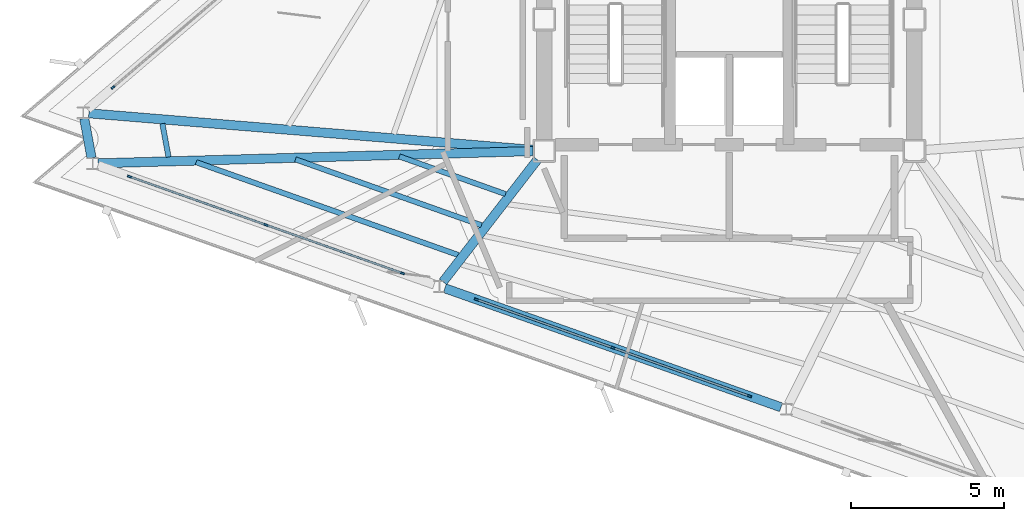
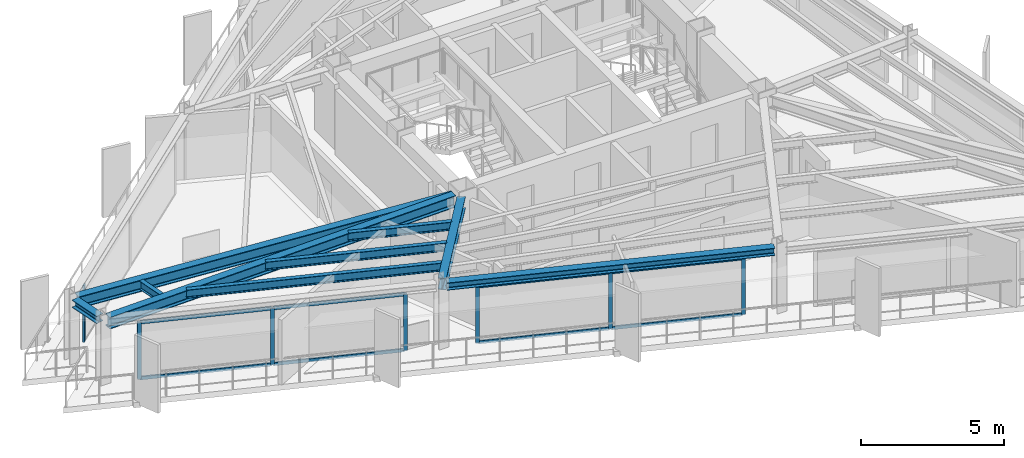
# One storey, part 2 of 14: 15 members, 9 beams, 3 elements without a shape of their own.
"""IFC4 building model written with IfcOpenShell, lengths in metres."""

from ifc_helpers import new_model, si_unit, direction, frame, origin, origin_2d, place, context, subcontext, project, spatial, rectangle, i_section, extrude, material, layer, layer_set, material_profile, profile_set, type_object, element, aggregate, save


model = new_model("IFC4")

# Units and contexts
model_context = context("Model", 3, precision=1e-05, world=origin(), true_north=direction((0.0, 1.0)))
body_context = subcontext(model_context, "Body", "Model", "MODEL_VIEW")
ifc_project = project(units=[si_unit("LENGTHUNIT", "METRE"), si_unit("AREAUNIT", "SQUARE_METRE"), si_unit("VOLUMEUNIT", "CUBIC_METRE"), si_unit("PLANEANGLEUNIT", "RADIAN"), si_unit("MASSUNIT", "GRAM", prefix="KILO")], contexts=[model_context])

# Site, building, storey
site_placement = place(None, origin())
site = spatial("IfcSite", under=ifc_project, at=site_placement, CompositionType="ELEMENT")
building_placement = place(site_placement, origin())
building = spatial("IfcBuilding", under=site, at=building_placement, Name="Rocaltana Carrier Exchange", CompositionType="ELEMENT")
storey_placement = place(building_placement, frame((0.0, 0.0, 181.43994140625)))
storey = spatial("IfcBuildingStorey", under=building, at=storey_placement, Name="L57", CompositionType="ELEMENT", Elevation=181.43994140625)

# Curtain wall, member
ifc_material_1 = material(Name="Aluminium 6063-T6", Category="aluminium")
ifc_layer = layer(ifc_material_1, 0.135009765625)
ifc_layer_set = layer_set([ifc_layer], Name="Aluminium 6063-T6")
curtain_wall_type = type_object("IfcCurtainWallType", Name="Upper-Mid Acoustic Curtain Wall CW-04", PredefinedType="NOTDEFINED", material=ifc_layer_set)
curtain_wall_1_placement = place(storey_placement, origin())
curtain_wall_1 = element("IfcCurtainWall", 1, at=curtain_wall_1_placement, inside=storey, type_object=curtain_wall_type, Name="L57 CW-04 Run CW-L57-F2S3", PredefinedType="NOTDEFINED")
ifc_material_2 = material(Name="Aluminium 6063-T6", Category="aluminium")
ifc_material_profile_1 = material_profile(ifc_material_2, rectangle(XDim=0.06494140625, YDim=0.135009765625, at=origin_2d()), Name="AL-65X135")
ifc_profile_set_1 = profile_set([ifc_material_profile_1], Name="Aluminium 6063-T6")
member_type_1 = type_object("IfcMemberType", Name="CW-04 Mullion AL-65X135", PredefinedType="MULLION", material=ifc_profile_set_1)
member_1_placement = place(storey_placement, frame((-20.14990234375, -2.2255859375, 0.0), z_axis=(0.0, 0.0, 1.0), x_axis=(0.649447944918, -0.760406053922, 0.0)))
member_1 = element("IfcMember", 2, at=member_1_placement, type_object=member_type_1, Name="CW-04 mullion 3", PredefinedType="MULLION", context=body_context, shape_type="SweptSolid", body=[
    extrude(rectangle(XDim=0.06494140625, YDim=0.135009765625, at=origin_2d()), origin(), (0.0, 0.0, 1.0), 2.447998046875),
])
aggregate(curtain_wall_1, [member_1])

# Curtain wall, members
curtain_wall_2_placement = place(storey_placement, origin())
curtain_wall_2 = element("IfcCurtainWall", 3, at=curtain_wall_2_placement, inside=storey, type_object=curtain_wall_type, Name="L57 CW-04 Run CW-L57-F3S1", PredefinedType="NOTDEFINED")
member_2_placement = place(storey_placement, frame((-19.609130859375, -5.143310546875, 0.0), z_axis=(0.0, 0.0, 1.0), x_axis=(0.333795491383, 0.942645516582, 0.0)))
member_2 = element("IfcMember", 4, at=member_2_placement, type_object=member_type_1, Name="CW-04 mullion 1", PredefinedType="MULLION", context=body_context, shape_type="SweptSolid", body=[
    extrude(rectangle(XDim=0.06494140625, YDim=0.135009765625, at=origin_2d()), origin(), (0.0, 0.0, 1.0), 2.447998046875),
])
member_3_placement = place(storey_placement, frame((-15.146484375, -6.7236328125, 0.0), z_axis=(0.0, 0.0, 1.0), x_axis=(0.333795491383, 0.942645516582, 0.0)))
member_3 = element("IfcMember", 5, at=member_3_placement, type_object=member_type_1, Name="CW-04 mullion 2", PredefinedType="MULLION", context=body_context, shape_type="SweptSolid", body=[
    extrude(rectangle(XDim=0.06494140625, YDim=0.135009765625, at=origin_2d()), origin(), (0.0, 0.0, 1.0), 2.447998046875),
])
member_4_placement = place(storey_placement, frame((-10.683837890625, -8.303955078125, 0.0), z_axis=(0.0, 0.0, 1.0), x_axis=(0.333795491383, 0.942645516582, 0.0)))
member_4 = element("IfcMember", 6, at=member_4_placement, type_object=member_type_1, Name="CW-04 mullion 3", PredefinedType="MULLION", context=body_context, shape_type="SweptSolid", body=[
    extrude(rectangle(XDim=0.06494140625, YDim=0.135009765625, at=origin_2d()), origin(), (0.0, 0.0, 1.0), 2.447998046875),
])

curtain_wall_3_placement = place(storey_placement, origin())
curtain_wall_3 = element("IfcCurtainWall", 7, at=curtain_wall_3_placement, inside=storey, type_object=curtain_wall_type, Name="L57 CW-04 Run CW-L57-F3S2", PredefinedType="NOTDEFINED")
member_5_placement = place(storey_placement, frame((-8.265869140625, -9.16015625, 0.0), z_axis=(0.0, 0.0, 1.0), x_axis=(0.333798791936, 0.942644347833, 0.0)))
member_5 = element("IfcMember", 8, at=member_5_placement, type_object=member_type_1, Name="CW-04 mullion 1", PredefinedType="MULLION", context=body_context, shape_type="SweptSolid", body=[
    extrude(rectangle(XDim=0.06494140625, YDim=0.135009765625, at=origin_2d()), origin(), (0.0, 0.0, 1.0), 2.447998046875),
])
member_6_placement = place(storey_placement, frame((-3.803466796875, -10.740478515625, 0.0), z_axis=(0.0, 0.0, 1.0), x_axis=(0.333798791936, 0.942644347833, 0.0)))
member_6 = element("IfcMember", 9, at=member_6_placement, type_object=member_type_1, Name="CW-04 mullion 2", PredefinedType="MULLION", context=body_context, shape_type="SweptSolid", body=[
    extrude(rectangle(XDim=0.06494140625, YDim=0.135009765625, at=origin_2d()), origin(), (0.0, 0.0, 1.0), 2.447998046875),
])
member_7_placement = place(storey_placement, frame((0.6591796875, -12.320556640625, 0.0), z_axis=(0.0, 0.0, 1.0), x_axis=(0.333798791936, 0.942644347833, 0.0)))
member_7 = element("IfcMember", 10, at=member_7_placement, type_object=member_type_1, Name="CW-04 mullion 3", PredefinedType="MULLION", context=body_context, shape_type="SweptSolid", body=[
    extrude(rectangle(XDim=0.06494140625, YDim=0.135009765625, at=origin_2d()), origin(), (0.0, 0.0, 1.0), 2.447998046875),
])

# Member
ifc_material_3 = material(Name="Aluminium 6063-T6", Category="aluminium")
ifc_material_profile_2 = material_profile(ifc_material_3, rectangle(XDim=0.06494140625, YDim=0.135009765625, at=origin_2d()), Name="AL-65X135")
ifc_profile_set_2 = profile_set([ifc_material_profile_2], Name="Aluminium 6063-T6")
member_type_2 = type_object("IfcMemberType", Name="CW-04 Transom AL-65X135", PredefinedType="USERDEFINED", material=ifc_profile_set_2)
member_8_placement = place(storey_placement, frame((-19.57861328125, -5.154296875, 0.032470703125), z_axis=(0.942658759466, -0.333758090841, 0.0), x_axis=(0.333758090841, 0.942658759466, 0.0)))
member_8 = element("IfcMember", 11, at=member_8_placement, type_object=member_type_2, Name="CW-04 transom 1.1", ObjectType="TRANSOM", PredefinedType="USERDEFINED", context=body_context, shape_type="SweptSolid", body=[
    extrude(rectangle(XDim=0.06494140625, YDim=0.135009765625, at=origin_2d()), origin(), (0.0, 0.0, 1.0), 4.669189453125),
])

member_9_placement = place(storey_placement, frame((-19.57861328125, -5.154296875, 2.41552734375), z_axis=(0.942658759466, -0.333758090841, 0.0), x_axis=(0.333758090841, 0.942658759466, 0.0)))
member_9 = element("IfcMember", 12, at=member_9_placement, type_object=member_type_2, Name="CW-04 transom 1.2", ObjectType="TRANSOM", PredefinedType="USERDEFINED", context=body_context, shape_type="SweptSolid", body=[
    extrude(rectangle(XDim=0.06494140625, YDim=0.135009765625, at=origin_2d()), origin(), (0.0, 0.0, 1.0), 4.669189453125),
])

member_10_placement = place(storey_placement, frame((-15.115966796875, -6.734375, 0.032470703125), z_axis=(0.942648133321, -0.333788101565, 0.0), x_axis=(0.333788101565, 0.942648133321, 0.0)))
member_10 = element("IfcMember", 13, at=member_10_placement, type_object=member_type_2, Name="CW-04 transom 2.1", ObjectType="TRANSOM", PredefinedType="USERDEFINED", context=body_context, shape_type="SweptSolid", body=[
    extrude(rectangle(XDim=0.06494140625, YDim=0.135009765625, at=origin_2d()), origin(), (0.0, 0.0, 1.0), 4.66943359375),
])

member_11_placement = place(storey_placement, frame((-15.115966796875, -6.734375, 2.41552734375), z_axis=(0.942648133321, -0.333788101565, 0.0), x_axis=(0.333788101565, 0.942648133321, 0.0)))
member_11 = element("IfcMember", 14, at=member_11_placement, type_object=member_type_2, Name="CW-04 transom 2.2", ObjectType="TRANSOM", PredefinedType="USERDEFINED", context=body_context, shape_type="SweptSolid", body=[
    extrude(rectangle(XDim=0.06494140625, YDim=0.135009765625, at=origin_2d()), origin(), (0.0, 0.0, 1.0), 4.66943359375),
])

aggregate(curtain_wall_2, [member_2, member_3, member_4, member_8, member_9, member_10, member_11])

member_12_placement = place(storey_placement, frame((-8.2353515625, -9.1708984375, 0.032470703125), z_axis=(0.942642307572, -0.333804553558, 0.0), x_axis=(0.333804553558, 0.942642307572, 0.0)))
member_12 = element("IfcMember", 15, at=member_12_placement, type_object=member_type_2, Name="CW-04 transom 1.1", ObjectType="TRANSOM", PredefinedType="USERDEFINED", context=body_context, shape_type="SweptSolid", body=[
    extrude(rectangle(XDim=0.06494140625, YDim=0.135009765625, at=origin_2d()), origin(), (0.0, 0.0, 1.0), 4.669189453125),
])

member_13_placement = place(storey_placement, frame((-8.2353515625, -9.1708984375, 2.41552734375), z_axis=(0.942642307572, -0.333804553558, 0.0), x_axis=(0.333804553558, 0.942642307572, 0.0)))
member_13 = element("IfcMember", 16, at=member_13_placement, type_object=member_type_2, Name="CW-04 transom 1.2", ObjectType="TRANSOM", PredefinedType="USERDEFINED", context=body_context, shape_type="SweptSolid", body=[
    extrude(rectangle(XDim=0.06494140625, YDim=0.135009765625, at=origin_2d()), origin(), (0.0, 0.0, 1.0), 4.669189453125),
])

member_14_placement = place(storey_placement, frame((-3.772705078125, -10.751220703125, 0.032470703125), z_axis=(0.942642307572, -0.333804553558, 0.0), x_axis=(0.333804553558, 0.942642307572, 0.0)))
member_14 = element("IfcMember", 17, at=member_14_placement, type_object=member_type_2, Name="CW-04 transom 2.1", ObjectType="TRANSOM", PredefinedType="USERDEFINED", context=body_context, shape_type="SweptSolid", body=[
    extrude(rectangle(XDim=0.06494140625, YDim=0.135009765625, at=origin_2d()), origin(), (0.0, 0.0, 1.0), 4.669189453125),
])

member_15_placement = place(storey_placement, frame((-3.772705078125, -10.751220703125, 2.41552734375), z_axis=(0.942642307572, -0.333804553558, 0.0), x_axis=(0.333804553558, 0.942642307572, 0.0)))
member_15 = element("IfcMember", 18, at=member_15_placement, type_object=member_type_2, Name="CW-04 transom 2.2", ObjectType="TRANSOM", PredefinedType="USERDEFINED", context=body_context, shape_type="SweptSolid", body=[
    extrude(rectangle(XDim=0.06494140625, YDim=0.135009765625, at=origin_2d()), origin(), (0.0, 0.0, 1.0), 4.669189453125),
])

aggregate(curtain_wall_3, [member_5, member_6, member_7, member_12, member_13, member_14, member_15])

# Beams
ifc_material_4 = material(Name="Steel S355", Category="steel")
ifc_material_profile_3 = material_profile(ifc_material_4, i_section(OverallWidth=0.172119140625, OverallDepth=0.35791015625, WebThickness=0.0078125, FlangeThickness=0.01318359375, FilletRadius=0.011962890625, at=origin_2d()), Name="W14X38")
ifc_profile_set_3 = profile_set([ifc_material_profile_3], Name="Steel S355")
beam_type_1 = type_object("IfcBeamType", Name="Floor Joist W14X38", PredefinedType="JOIST", material=ifc_profile_set_3)
beam_1_placement = place(storey_placement, frame((-18.5361328125, -3.4111328125, 2.619140625), z_axis=(0.182270341783, -0.983248454108, 0.0), x_axis=(0.983248454108, 0.182270341783, 0.0)))
element("IfcBeam", 19, at=beam_1_placement, inside=storey, type_object=beam_type_1, Name="FJ-L57-08-3", PredefinedType="JOIST", context=body_context, shape_type="SweptSolid", body=[
    extrude(i_section(OverallWidth=0.172119140625, OverallDepth=0.35791015625, WebThickness=0.0078125, FlangeThickness=0.01318359375, FilletRadius=0.011962890625, at=origin_2d()), origin(), (0.0, 0.0, 1.0), 1.1103515625),
])
beam_2_placement = place(storey_placement, frame((-10.78759765625, -4.485107421875, 2.619140625), z_axis=(0.94263244024, -0.333832416951, 0.0), x_axis=(0.333832416951, 0.94263244024, 0.0)))
element("IfcBeam", 20, at=beam_2_placement, inside=storey, type_object=beam_type_1, Name="FJ-L57-09-1", PredefinedType="JOIST", context=body_context, shape_type="SweptSolid", body=[
    extrude(i_section(OverallWidth=0.172119140625, OverallDepth=0.35791015625, WebThickness=0.0078125, FlangeThickness=0.01318359375, FilletRadius=0.011962890625, at=origin_2d()), origin(), (0.0, 0.0, 1.0), 3.682861328125),
])
beam_3_placement = place(storey_placement, frame((-14.184326171875, -4.58056640625, 2.619140625), z_axis=(0.942637646352, -0.333817716246, 0.0), x_axis=(0.333817716246, 0.942637646352, 0.0)))
element("IfcBeam", 21, at=beam_3_placement, inside=storey, type_object=beam_type_1, Name="FJ-L57-09-2", PredefinedType="JOIST", context=body_context, shape_type="SweptSolid", body=[
    extrude(i_section(OverallWidth=0.172119140625, OverallDepth=0.35791015625, WebThickness=0.0078125, FlangeThickness=0.01318359375, FilletRadius=0.011962890625, at=origin_2d()), origin(), (0.0, 0.0, 1.0), 6.45068359375),
])
beam_4_placement = place(storey_placement, frame((-17.433349609375, -4.671875, 2.619140625), z_axis=(0.942637076776, -0.333819324616, 0.0), x_axis=(0.333819324616, 0.942637076776, 0.0)))
element("IfcBeam", 22, at=beam_4_placement, inside=storey, type_object=beam_type_1, Name="FJ-L57-09-3", PredefinedType="JOIST", context=body_context, shape_type="SweptSolid", body=[
    extrude(i_section(OverallWidth=0.172119140625, OverallDepth=0.35791015625, WebThickness=0.0078125, FlangeThickness=0.01318359375, FilletRadius=0.011962890625, at=origin_2d()), origin(), (0.0, 0.0, 1.0), 9.09814453125),
])
ifc_material_5 = material(Name="Steel S355", Category="steel")
ifc_material_profile_4 = material_profile(ifc_material_5, i_section(OverallWidth=0.300048828125, OverallDepth=0.320068359375, WebThickness=0.011474609375, FlangeThickness=0.0205078125, FilletRadius=0.027099609375, at=origin_2d()), Name="HEB320")
ifc_profile_set_4 = profile_set([ifc_material_profile_4], Name="Steel S355")
beam_type_2 = type_object("IfcBeamType", Name="Spandrel Edge Beam HEB320", PredefinedType="SPANDREL", material=ifc_profile_set_4)
beam_5_placement = place(storey_placement, frame((-21.09130859375, -3.240966796875, 2.637939453125), z_axis=(0.182302199859, -0.983242547862, 0.0), x_axis=(0.983242547862, 0.182302199859, 0.0)))
element("IfcBeam", 23, at=beam_5_placement, inside=storey, type_object=beam_type_2, Name="SP-L57-08", PredefinedType="SPANDREL", context=body_context, shape_type="SweptSolid", body=[
    extrude(i_section(OverallWidth=0.300048828125, OverallDepth=0.320068359375, WebThickness=0.011474609375, FlangeThickness=0.0205078125, FilletRadius=0.027099609375, at=origin_2d()), origin(), (0.0, 0.0, 1.0), 1.313720703125),
])
beam_6_placement = place(storey_placement, frame((-9.300048828125, -8.7939453125, 2.637939453125), z_axis=(0.942638890489, -0.333814203019, 0.0), x_axis=(0.333814203019, 0.942638890489, 0.0)))
element("IfcBeam", 24, at=beam_6_placement, inside=storey, type_object=beam_type_2, Name="SP-L57-10", PredefinedType="SPANDREL", context=body_context, shape_type="SweptSolid", body=[
    extrude(i_section(OverallWidth=0.300048828125, OverallDepth=0.320068359375, WebThickness=0.011474609375, FlangeThickness=0.0205078125, FilletRadius=0.027099609375, at=origin_2d()), origin(), (0.0, 0.0, 1.0), 11.662353515625),
])
ifc_material_6 = material(Name="Steel S355", Category="steel")
ifc_material_profile_5 = material_profile(ifc_material_6, i_section(OverallWidth=0.300048828125, OverallDepth=0.5, WebThickness=0.014404296875, FlangeThickness=0.028076171875, FilletRadius=0.027099609375, at=origin_2d()), Name="HEB500")
ifc_profile_set_5 = profile_set([ifc_material_profile_5], Name="Steel S355")
beam_type_3 = type_object("IfcBeamType", Name="Upper Radial Girder HEB500", PredefinedType="BEAM", material=ifc_profile_set_5)
beam_7_placement = place(storey_placement, frame((-6.415771484375, -4.27001953125, 2.548095703125), z_axis=(-0.99662524514, 0.082086056969, 0.0), x_axis=(-0.082086056969, -0.99662524514, 0.0)))
element("IfcBeam", 25, at=beam_7_placement, inside=storey, type_object=beam_type_3, Name="RG-L57-08", PredefinedType="BEAM", context=body_context, shape_type="SweptSolid", body=[
    extrude(i_section(OverallWidth=0.300048828125, OverallDepth=0.5, WebThickness=0.014404296875, FlangeThickness=0.028076171875, FilletRadius=0.027099609375, at=origin_2d()), origin(), (0.0, 0.0, 1.0), 14.573486328125),
])
beam_8_placement = place(storey_placement, frame((-6.4169921875, -4.310302734375, 2.548095703125), z_axis=(-0.999605046226, -0.028102518731, 0.0), x_axis=(0.028102518731, -0.999605046226, 0.0)))
element("IfcBeam", 26, at=beam_8_placement, inside=storey, type_object=beam_type_3, Name="RG-L57-09", PredefinedType="BEAM", context=body_context, shape_type="SweptSolid", body=[
    extrude(i_section(OverallWidth=0.300048828125, OverallDepth=0.5, WebThickness=0.014404296875, FlangeThickness=0.028076171875, FilletRadius=0.027099609375, at=origin_2d()), origin(), (0.0, 0.0, 1.0), 14.221435546875),
])
beam_9_placement = place(storey_placement, frame((-6.2744140625, -4.59033203125, 2.548095703125), z_axis=(-0.611473649779, -0.791264794886, 0.0), x_axis=(0.791264794886, -0.611473649779, 0.0)))
element("IfcBeam", 27, at=beam_9_placement, inside=storey, type_object=beam_type_3, Name="RG-L57-10", PredefinedType="BEAM", context=body_context, shape_type="SweptSolid", body=[
    extrude(i_section(OverallWidth=0.300048828125, OverallDepth=0.5, WebThickness=0.014404296875, FlangeThickness=0.028076171875, FilletRadius=0.027099609375, at=origin_2d()), origin(), (0.0, 0.0, 1.0), 5.048828125),
])

save(model, "model.ifc")
